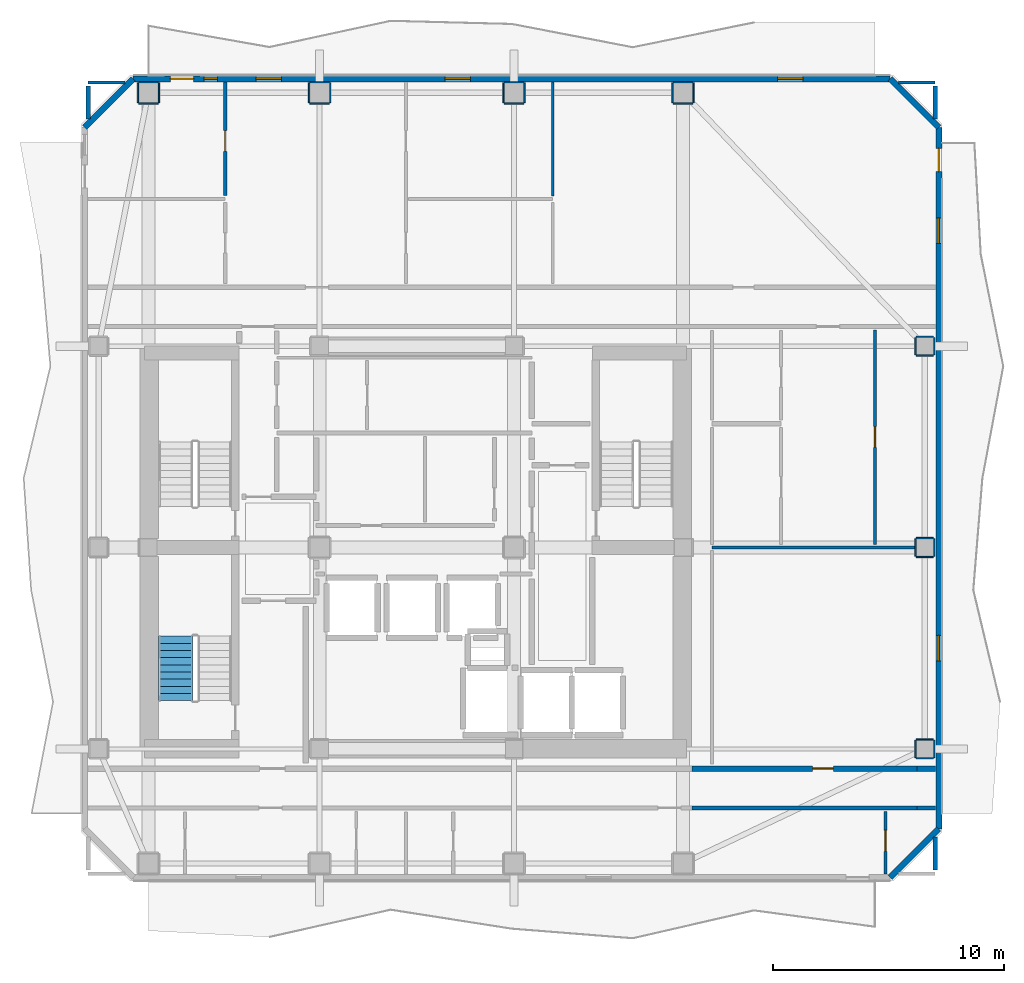
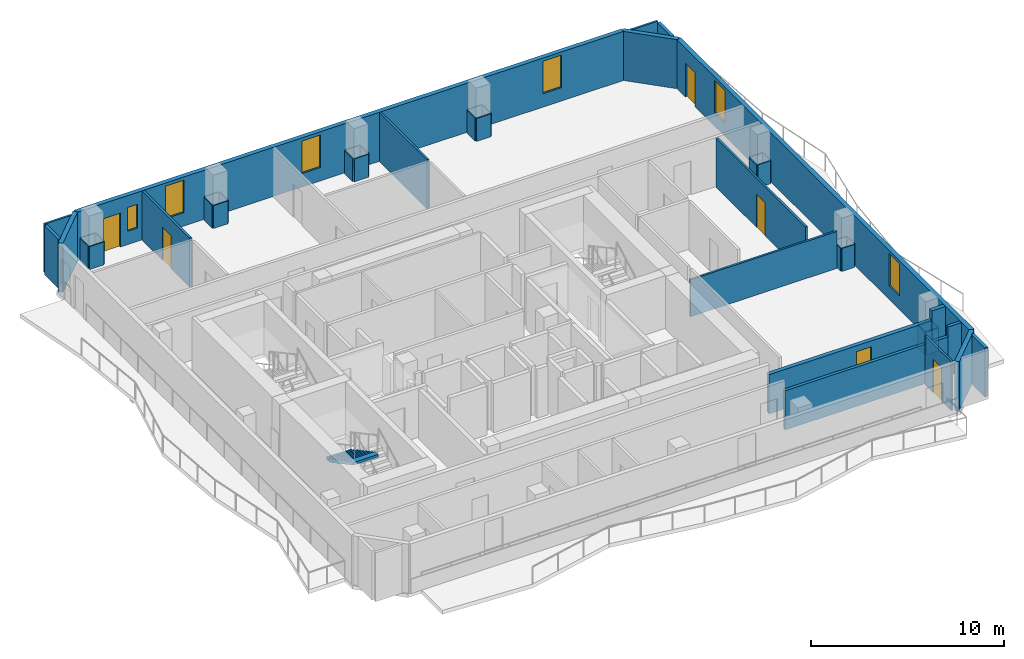
# One storey, part 5 of 9: 47 walls, 6 doors, 6 windows, 1 stair flight, 12 openings, 1 element without a shape of its own.
"""IFC4 building model written with IfcOpenShell, lengths in metres."""

import ifcopenshell
import ifcopenshell.guid

model = None  # the IFC model being written
_history = None  # IfcOwnerHistory: only IFC2X3 demands one
_inside = {}  # id of a spatial element -> (the spatial element, [elements in it])
_under = {}  # id of a project, library or spatial element -> (it, [spatial elements below it])
_declared = {}  # id of a project -> (the project, [libraries it declares])
_typed = {}  # id of a type object -> (the type object, [elements of that type])
_made_of = {}  # id of a material, layer set ... -> (it, [elements and type objects made of it])


def new_model(schema):
    """Start an empty IFC model of exactly this schema.

    Asked for "IFC4X3", IfcOpenShell would pick the latest addendum, in which some entities
    have other attributes; the version numbers below select the first issue.
    IFC2X3 requires an IfcOwnerHistory on every rooted entity: one is made here for all.
    """
    global model, _history
    if schema == "IFC4X3":
        model = ifcopenshell.file(schema_version=(4, 3, 0, 0))
    else:
        model = ifcopenshell.file(schema=schema)
    _inside.clear()
    _under.clear()
    _declared.clear()
    _typed.clear()
    _made_of.clear()
    _history = None
    if model.schema == "IFC2X3":
        org = make("IfcOrganization", Name="unknown")
        user = make(
            "IfcPersonAndOrganization",
            ThePerson=make("IfcPerson", FamilyName="unknown"),
            TheOrganization=org,
        )
        app = make(
            "IfcApplication",
            ApplicationDeveloper=org,
            Version="unknown",
            ApplicationFullName="unknown",
            ApplicationIdentifier="unknown",
        )
        _history = make(
            "IfcOwnerHistory",
            OwningUser=user,
            OwningApplication=app,
            ChangeAction="ADDED",
            CreationDate=0,
        )
    return model


def make(cls, **values):
    """One entity of the class cls with the attributes given. An attribute that is None is left unset."""
    return model.create_entity(
        cls, **{name: value for name, value in values.items() if value is not None}
    )


def rooted(cls, **values):
    """An entity with a GlobalId (a new one), such as an element, a storey or a relation."""
    return make(cls, GlobalId=ifcopenshell.guid.new(), OwnerHistory=_history, **values)


def si_unit(unit_type, name, prefix=None):
    """IfcSIUnit, for example si_unit("LENGTHUNIT", "METRE", prefix="MILLI")."""
    return make("IfcSIUnit", UnitType=unit_type, Prefix=prefix, Name=name)


def assignment(units):
    """IfcUnitAssignment: the units of a project."""
    return None if units is None else make("IfcUnitAssignment", Units=units)


def point(xyz):
    """IfcCartesianPoint."""
    return None if xyz is None else make("IfcCartesianPoint", Coordinates=xyz)


def direction(xyz):
    """IfcDirection."""
    return None if xyz is None else make("IfcDirection", DirectionRatios=xyz)


def frame(location, z_axis=None, x_axis=None):
    """IfcAxis2Placement3D, a coordinate frame: its origin and axes. An axis left out is left unset."""
    return make(
        "IfcAxis2Placement3D",
        Location=point(location),
        Axis=direction(z_axis),
        RefDirection=direction(x_axis),
    )


def frame_2d(location, x_axis=None):
    """IfcAxis2Placement2D, a coordinate frame in the plane: its origin and x axis."""
    return make(
        "IfcAxis2Placement2D", Location=point(location), RefDirection=direction(x_axis)
    )


def origin():
    """The frame at (0, 0, 0) with its axes left unset."""
    return frame((0.0, 0.0, 0.0))


def place(relative_to, where):
    """IfcLocalPlacement: puts the frame where relative to a parent placement (None: the world)."""
    return make(
        "IfcLocalPlacement", PlacementRelTo=relative_to, RelativePlacement=where
    )


def context(
    kind, dimensions, precision=None, world=None, true_north=None, identifier=None
):
    """IfcGeometricRepresentationContext, for example the 3D "Model" context."""
    return make(
        "IfcGeometricRepresentationContext",
        ContextIdentifier=identifier,
        ContextType=kind,
        CoordinateSpaceDimension=dimensions,
        Precision=precision,
        WorldCoordinateSystem=world,
        TrueNorth=true_north,
    )


def subcontext(parent, identifier, kind, view, scale=None):
    """IfcGeometricRepresentationSubContext, for example "Body" below "Model"."""
    return make(
        "IfcGeometricRepresentationSubContext",
        ContextIdentifier=identifier,
        ContextType=kind,
        ParentContext=parent,
        TargetScale=scale,
        TargetView=view,
    )


def project(units=None, contexts=None):
    """IfcProject with its units and contexts."""
    return rooted(
        "IfcProject",
        Name="project",
        RepresentationContexts=contexts,
        UnitsInContext=assignment(units),
    )


def spatial(cls, under=None, at=None, **own):
    """A site, building, storey or space (cls), placed at a placement, below another one or the project."""
    s = rooted(cls, ObjectPlacement=at, **own)
    if under is not None:
        _under.setdefault(under.id(), (under, []))[1].append(s)
    return s


def polyline(points):
    """IfcPolyline through the points."""
    return make("IfcPolyline", Points=[point(p) for p in points])


def profile(cls, at=None, kind="AREA", **sizes):
    """A parametric profile (cls). Its sizes go by their IFC names, for example OverallWidth=200.0."""
    return make(cls, ProfileType=kind, Position=at, **sizes)


def rectangle(**sizes):
    """IfcRectangleProfileDef."""
    return profile("IfcRectangleProfileDef", **sizes)


def outline(outer, holes=None, kind="AREA"):
    """IfcArbitraryClosedProfileDef: a profile drawn as a closed curve; with holes, ...WithVoids."""
    if holes is None:
        return make("IfcArbitraryClosedProfileDef", ProfileType=kind, OuterCurve=outer)
    return make(
        "IfcArbitraryProfileDefWithVoids",
        ProfileType=kind,
        OuterCurve=outer,
        InnerCurves=holes,
    )


def extrude(swept, where, along, depth):
    """IfcExtrudedAreaSolid: the profile swept, set in the frame where, extruded along a direction by depth."""
    return make(
        "IfcExtrudedAreaSolid",
        SweptArea=swept,
        Position=where,
        ExtrudedDirection=direction(along),
        Depth=depth,
    )


def shape(context_of_items, identifier, shape_type, items):
    """IfcShapeRepresentation: the items that make up one representation, for example the "Body"."""
    return make(
        "IfcShapeRepresentation",
        ContextOfItems=context_of_items,
        RepresentationIdentifier=identifier,
        RepresentationType=shape_type,
        Items=items,
    )


def material(Name=None, Category=None):
    """IfcMaterial."""
    return make("IfcMaterial", Name=Name, Category=Category)


def layer(
    of_material, thickness, ventilated=None, Name=None, Category=None, Priority=None
):
    """IfcMaterialLayer: one layer of a wall or slab, of a material (None: an air gap)."""
    return make(
        "IfcMaterialLayer",
        Material=of_material,
        LayerThickness=thickness,
        IsVentilated=ventilated,
        Name=Name,
        Category=Category,
        Priority=Priority,
    )


def layer_set(layers, Name=None):
    """IfcMaterialLayerSet."""
    return make("IfcMaterialLayerSet", MaterialLayers=layers, LayerSetName=Name)


def made_of(thing, what):
    """Note that an element or type object is made of a material, layer set ...; save() writes the relation."""
    if what is not None:
        _made_of.setdefault(what.id(), (what, []))[1].append(thing)
    return thing


def type_object(cls, material=None, **own):
    """A type object (cls), such as IfcWallType, which elements share."""
    return made_of(rooted(cls, **own), material)


def element(
    cls,
    number,
    at=None,
    inside=None,
    cuts=None,
    type_object=None,
    material=None,
    context=None,
    identifier="Body",
    shape_type=None,
    held_by="IfcProductDefinitionShape",
    body=None,
    shapes=None,
    **own,
):
    """One element of the class cls, such as IfcWall. Its Tag is "e" and its number.

    at: its placement. inside: the storey or other place that contains it. cuts: it is an
    opening in that element (IfcRelVoidsElement). A single representation is given by context,
    identifier, shape_type and body (its items); several are given by shapes. held_by: the class
    of the entity that holds the representations. save() writes the other relations.
    """
    e = rooted(cls, Tag="e%d" % number, ObjectPlacement=at, **own)
    if body is not None:
        shapes = [shape(context, identifier, shape_type, body)]
    if shapes is not None:
        e.Representation = make(held_by, Representations=shapes)
    if inside is not None:
        _inside.setdefault(inside.id(), (inside, []))[1].append(e)
    if cuts is not None:
        rooted(
            "IfcRelVoidsElement", RelatingBuildingElement=cuts, RelatedOpeningElement=e
        )
    if type_object is not None:
        _typed.setdefault(type_object.id(), (type_object, []))[1].append(e)
    return made_of(e, material)


def fill(opening, filler):
    """IfcRelFillsElement: the door or window that sits in an opening."""
    return rooted(
        "IfcRelFillsElement",
        RelatingOpeningElement=opening,
        RelatedBuildingElement=filler,
    )


def aggregate(whole, parts):
    """IfcRelAggregates: a whole, such as a stair, and the parts it consists of."""
    return rooted("IfcRelAggregates", RelatingObject=whole, RelatedObjects=parts)


def save(model, path):
    """Write the relations noted so far, then the file.

    IfcRelAggregates (storeys below a building ...), IfcRelContainedInSpatialStructure (elements
    in a storey), IfcRelDefinesByType, IfcRelAssociatesMaterial and IfcRelDeclares: one each for
    every whole, place, type object, material and project.
    """
    for whole, parts in _under.values():
        aggregate(whole, parts)
    for where, things in _inside.values():
        rooted(
            "IfcRelContainedInSpatialStructure",
            RelatedElements=things,
            RelatingStructure=where,
        )
    for kind, things in _typed.values():
        rooted("IfcRelDefinesByType", RelatedObjects=things, RelatingType=kind)
    for what, things in _made_of.values():
        rooted("IfcRelAssociatesMaterial", RelatedObjects=things, RelatingMaterial=what)
    for by, libraries in _declared.values():
        rooted("IfcRelDeclares", RelatingContext=by, RelatedDefinitions=libraries)
    model.write(path)


model = new_model("IFC4")

# Units and contexts
model_context = context("Model", 3, precision=1e-05, world=origin(), true_north=direction((0.0, 1.0)))
body_context = subcontext(model_context, "Body", "Model", "MODEL_VIEW")
ifc_project = project(units=[si_unit("LENGTHUNIT", "METRE"), si_unit("AREAUNIT", "SQUARE_METRE"), si_unit("VOLUMEUNIT", "CUBIC_METRE"), si_unit("PLANEANGLEUNIT", "RADIAN"), si_unit("MASSUNIT", "GRAM", prefix="KILO")], contexts=[model_context])

# Site, building, storey
site_placement = place(None, origin())
site = spatial("IfcSite", under=ifc_project, at=site_placement, CompositionType="ELEMENT")
building_placement = place(site_placement, origin())
building = spatial("IfcBuilding", under=site, at=building_placement, Name="Solanera Arch Residences", CompositionType="ELEMENT")
storey_placement = place(building_placement, frame((0.0, 0.0, 237.919921875)))
storey = spatial("IfcBuildingStorey", under=building, at=storey_placement, Name="L69", CompositionType="ELEMENT", Elevation=237.919921875)

# Walls
ifc_material_1 = material(Name="Fire-Rated Gypsum Stud Partition", Category="gypsum")
ifc_layer_1 = layer(ifc_material_1, 0.06005859375)
ifc_layer_set_1 = layer_set([ifc_layer_1], Name="Fire-Rated Gypsum Stud Partition")
wall_type_1 = type_object("IfcWallType", Name="Column Acoustic Furring Wall 60", PredefinedType="PARTITIONING", material=ifc_layer_set_1)
for number, where, z_axis, x_axis, name in (
    (1, (12.97509765625, 49.89306640625, 0.0), (0.0, 0.0, 1.0), (1.0, 0.0, 0.0), "L69 Column Furring 10S"),
    (2, (12.97509765625, 50.806884765625, 0.0), (0.0, 0.0, 1.0), (1.0, 0.0, 0.0), "L69 Column Furring 10N"),
    (3, (12.943115234375, 49.925048828125, 0.0), (0.0, 0.0, 1.0), (0.0, 1.0, 0.0), "L69 Column Furring 10W"),
    (4, (13.85693359375, 49.925048828125, 0.0), (0.0, 0.0, 1.0), (0.0, 1.0, 0.0), "L69 Column Furring 10E"),
):
    element("IfcWall", number, at=place(storey_placement, frame(where, z_axis=z_axis, x_axis=x_axis)), inside=storey, type_object=wall_type_1, Name=name, PredefinedType="PARTITIONING", context=body_context, shape_type="SweptSolid", body=[
        extrude(rectangle(XDim=0.849853515625, YDim=0.06005859375, at=frame_2d((0.4248046875, 0.0))), origin(), (0.0, 0.0, 1.0), 1.4501953125),
    ])
for number, where, z_axis, x_axis, name in (
    (5, (20.375, 49.89306640625, 0.0), (0.0, 0.0, 1.0), (1.0, 0.0, 0.0), "L69 Column Furring 12S"),
    (6, (20.375, 50.806884765625, 0.0), (0.0, 0.0, 1.0), (1.0, 0.0, 0.0), "L69 Column Furring 12N"),
):
    element("IfcWall", number, at=place(storey_placement, frame(where, z_axis=z_axis, x_axis=x_axis)), inside=storey, type_object=wall_type_1, Name=name, PredefinedType="PARTITIONING", context=body_context, shape_type="SweptSolid", body=[
        extrude(rectangle(XDim=0.85009765625, YDim=0.06005859375, at=frame_2d((0.425048828125, 0.0))), origin(), (0.0, 0.0, 1.0), 1.4501953125),
    ])
for number, where, z_axis, x_axis, name in (
    (7, (20.343017578125, 49.925048828125, 0.0), (0.0, 0.0, 1.0), (0.0, 1.0, 0.0), "L69 Column Furring 12W"),
    (8, (21.257080078125, 49.925048828125, 0.0), (0.0, 0.0, 1.0), (0.0, 1.0, 0.0), "L69 Column Furring 12E"),
):
    element("IfcWall", number, at=place(storey_placement, frame(where, z_axis=z_axis, x_axis=x_axis)), inside=storey, type_object=wall_type_1, Name=name, PredefinedType="PARTITIONING", context=body_context, shape_type="SweptSolid", body=[
        extrude(rectangle(XDim=0.849853515625, YDim=0.06005859375, at=frame_2d((0.4248046875, 0.0))), origin(), (0.0, 0.0, 1.0), 1.4501953125),
    ])
for number, where, z_axis, x_axis, name in (
    (9, (28.77490234375, 49.89306640625, 0.0), (0.0, 0.0, 1.0), (1.0, 0.0, 0.0), "L69 Column Furring 14S"),
    (10, (28.77490234375, 50.806884765625, 0.0), (0.0, 0.0, 1.0), (1.0, 0.0, 0.0), "L69 Column Furring 14N"),
):
    element("IfcWall", number, at=place(storey_placement, frame(where, z_axis=z_axis, x_axis=x_axis)), inside=storey, type_object=wall_type_1, Name=name, PredefinedType="PARTITIONING", context=body_context, shape_type="SweptSolid", body=[
        extrude(rectangle(XDim=0.85009765625, YDim=0.06005859375, at=frame_2d((0.425048828125, 0.0))), origin(), (0.0, 0.0, 1.0), 1.4501953125),
    ])
for number, where, z_axis, x_axis, name in (
    (11, (28.742919921875, 49.925048828125, 0.0), (0.0, 0.0, 1.0), (0.0, 1.0, 0.0), "L69 Column Furring 14W"),
    (12, (29.656982421875, 49.925048828125, 0.0), (0.0, 0.0, 1.0), (0.0, 1.0, 0.0), "L69 Column Furring 14E"),
):
    element("IfcWall", number, at=place(storey_placement, frame(where, z_axis=z_axis, x_axis=x_axis)), inside=storey, type_object=wall_type_1, Name=name, PredefinedType="PARTITIONING", context=body_context, shape_type="SweptSolid", body=[
        extrude(rectangle(XDim=0.849853515625, YDim=0.06005859375, at=frame_2d((0.4248046875, 0.0))), origin(), (0.0, 0.0, 1.0), 1.4501953125),
    ])
for number, where, z_axis, x_axis, name in (
    (13, (36.074951171875, 49.89306640625, 0.0), (0.0, 0.0, 1.0), (1.0, 0.0, 0.0), "L69 Column Furring 16S"),
    (14, (36.074951171875, 50.806884765625, 0.0), (0.0, 0.0, 1.0), (1.0, 0.0, 0.0), "L69 Column Furring 16N"),
):
    element("IfcWall", number, at=place(storey_placement, frame(where, z_axis=z_axis, x_axis=x_axis)), inside=storey, type_object=wall_type_1, Name=name, PredefinedType="PARTITIONING", context=body_context, shape_type="SweptSolid", body=[
        extrude(rectangle(XDim=0.85009765625, YDim=0.06005859375, at=frame_2d((0.425048828125, 0.0))), origin(), (0.0, 0.0, 1.0), 1.4501953125),
    ])
for number, where, z_axis, x_axis, name in (
    (15, (36.04296875, 49.925048828125, 0.0), (0.0, 0.0, 1.0), (0.0, 1.0, 0.0), "L69 Column Furring 16W"),
    (16, (36.95703125, 49.925048828125, 0.0), (0.0, 0.0, 1.0), (0.0, 1.0, 0.0), "L69 Column Furring 16E"),
):
    element("IfcWall", number, at=place(storey_placement, frame(where, z_axis=z_axis, x_axis=x_axis)), inside=storey, type_object=wall_type_1, Name=name, PredefinedType="PARTITIONING", context=body_context, shape_type="SweptSolid", body=[
        extrude(rectangle(XDim=0.849853515625, YDim=0.06005859375, at=frame_2d((0.4248046875, 0.0))), origin(), (0.0, 0.0, 1.0), 1.4501953125),
    ])
for number, where, z_axis, x_axis, name in (
    (17, (46.574951171875, 21.593017578125, 0.0), (0.0, 0.0, 1.0), (1.0, 0.0, 0.0), "L69 Column Furring 18S"),
    (18, (46.574951171875, 22.406982421875, 0.0), (0.0, 0.0, 1.0), (1.0, 0.0, 0.0), "L69 Column Furring 18N"),
    (19, (46.54296875, 21.625, 0.0), (0.0, 0.0, 1.0), (0.0, 1.0, 0.0), "L69 Column Furring 18W"),
    (20, (47.35693359375, 21.625, 0.0), (0.0, 0.0, 1.0), (0.0, 1.0, 0.0), "L69 Column Furring 18E"),
    (21, (46.574951171875, 30.29296875, 0.0), (0.0, 0.0, 1.0), (1.0, 0.0, 0.0), "L69 Column Furring 20S"),
    (22, (46.574951171875, 31.10693359375, 0.0), (0.0, 0.0, 1.0), (1.0, 0.0, 0.0), "L69 Column Furring 20N"),
    (23, (46.54296875, 30.324951171875, 0.0), (0.0, 0.0, 1.0), (0.0, 1.0, 0.0), "L69 Column Furring 20W"),
    (24, (47.35693359375, 30.324951171875, 0.0), (0.0, 0.0, 1.0), (0.0, 1.0, 0.0), "L69 Column Furring 20E"),
    (25, (46.574951171875, 38.992919921875, 0.0), (0.0, 0.0, 1.0), (1.0, 0.0, 0.0), "L69 Column Furring 22S"),
    (26, (46.574951171875, 39.806884765625, 0.0), (0.0, 0.0, 1.0), (1.0, 0.0, 0.0), "L69 Column Furring 22N"),
    (27, (46.54296875, 39.02490234375, 0.0), (0.0, 0.0, 1.0), (0.0, 1.0, 0.0), "L69 Column Furring 22W"),
    (28, (47.35693359375, 39.02490234375, 0.0), (0.0, 0.0, 1.0), (0.0, 1.0, 0.0), "L69 Column Furring 22E"),
):
    element("IfcWall", number, at=place(storey_placement, frame(where, z_axis=z_axis, x_axis=x_axis)), inside=storey, type_object=wall_type_1, Name=name, PredefinedType="PARTITIONING", context=body_context, shape_type="SweptSolid", body=[
        extrude(rectangle(XDim=0.75, YDim=0.06005859375, at=frame_2d((0.375, 0.0))), origin(), (0.0, 0.0, 1.0), 1.4501953125),
    ])
ifc_material_2 = material(Name="Autoclaved Aerated Concrete Blockwork", Category="masonry")
ifc_layer_2 = layer(ifc_material_2, 0.179931640625)
ifc_layer_set_2 = layer_set([ifc_layer_2], Name="Autoclaved Aerated Concrete Blockwork")
wall_type_2 = type_object("IfcWallType", Name="Corridor Fire Partition 180", PredefinedType="PARTITIONING", material=ifc_layer_set_2)
wall_1_placement = place(storey_placement, frame((36.888916015625, 19.449951171875, 0.0), z_axis=(0.0, 0.0, 1.0), x_axis=(1.0, 0.0, 0.0)))
element("IfcWall", 29, at=wall_1_placement, inside=storey, type_object=wall_type_2, Name="L69 Interior Partition H6 2", PredefinedType="PARTITIONING", context=body_context, shape_type="SweptSolid", body=[
    extrude(rectangle(XDim=9.72216796875, YDim=0.179931640625, at=frame_2d((4.861083984375, 0.0))), origin(), (0.0, 0.0, 1.0), 2.47705078125),
])
wall_2_placement = place(storey_placement, frame((46.611083984375, 19.449951171875, 0.0), z_axis=(0.0, 0.0, 1.0), x_axis=(1.0, 0.0, 0.0)))
element("IfcWall", 30, at=wall_2_placement, inside=storey, type_object=wall_type_2, Name="L69 Interior Partition H6 3", PredefinedType="PARTITIONING", context=body_context, shape_type="SweptSolid", body=[
    extrude(rectangle(XDim=0.802001953125, YDim=0.179931640625, at=frame_2d((0.40087890625, 0.0))), origin(), (0.0, 0.0, 1.0), 3.10009765625),
])
wall_3_placement = place(storey_placement, frame((10.800048828125, 49.2109375, 0.0), z_axis=(0.0, 0.0, 1.0), x_axis=(0.0, 1.0, 0.0)))
element("IfcWall", 31, at=wall_3_placement, inside=storey, type_object=wall_type_2, Name="L69 Interior Partition V7", PredefinedType="PARTITIONING", context=body_context, shape_type="SweptSolid", body=[
    extrude(rectangle(XDim=1.43115234375, YDim=0.179931640625, at=frame_2d((0.715576171875, 0.0))), origin(), (0.0, 0.0, 1.0), 3.10009765625),
])
wall_4_placement = place(storey_placement, frame((47.39990234375, 16.76806640625, 0.0), z_axis=(0.0, 0.0, 1.0), x_axis=(0.0, 1.0, 0.0)))
element("IfcWall", 32, at=wall_4_placement, inside=storey, type_object=wall_type_2, Name="L69 Interior Partition V10 1", PredefinedType="PARTITIONING", context=body_context, shape_type="SweptSolid", body=[
    extrude(rectangle(XDim=1.4208984375, YDim=0.179931640625, at=frame_2d((0.71044921875, 0.0))), origin(), (0.0, 0.0, 1.0), 3.10009765625),
])
wall_5_placement = place(storey_placement, frame((47.39990234375, 49.2109375, 0.0), z_axis=(0.0, 0.0, 1.0), x_axis=(0.0, 1.0, 0.0)))
element("IfcWall", 33, at=wall_5_placement, inside=storey, type_object=wall_type_2, Name="L69 Interior Partition V10 2", PredefinedType="PARTITIONING", context=body_context, shape_type="SweptSolid", body=[
    extrude(rectangle(XDim=1.43115234375, YDim=0.179931640625, at=frame_2d((0.715576171875, 0.0))), origin(), (0.0, 0.0, 1.0), 3.10009765625),
])
ifc_material_3 = material(Name="Precast Concrete C35/45", Category="concrete")
ifc_layer_3 = layer(ifc_material_3, 0.260009765625)
ifc_layer_set_3 = layer_set([ifc_layer_3], Name="Precast Concrete C35/45")
wall_type_3 = type_object("IfcWallType", Name="Exterior Wall Precast Masonry-Frame 260", PredefinedType="STANDARD", material=ifc_layer_set_3)
wall_6_placement = place(storey_placement, frame((10.64501953125, 48.85498046875, 0.0), z_axis=(0.0, 0.0, 1.0), x_axis=(0.707106781187, 0.707106781187, 0.0)))
element("IfcWall", 34, at=wall_6_placement, inside=storey, type_object=wall_type_3, Name="L69 Tower Exterior Precast Masonry-Frame Wall CH1", PredefinedType="STANDARD", context=body_context, shape_type="SweptSolid", body=[
    extrude(rectangle(XDim=2.969970703125, YDim=0.260009765625, at=frame_2d((1.48486328125, 0.0))), origin(), (0.0, 0.0, 1.0), 3.10009765625),
])

# Wall, openings, door, windows
wall_7_placement = place(storey_placement, frame((12.7451171875, 50.955078125, 0.0), z_axis=(0.0, 0.0, 1.0), x_axis=(1.0, 0.0, 0.0)))
wall_7 = element("IfcWall", 35, at=wall_7_placement, inside=storey, type_object=wall_type_3, Name="L69 Tower Exterior Precast Masonry-Frame Wall N", PredefinedType="STANDARD", context=body_context, shape_type="SweptSolid", body=[
    extrude(rectangle(XDim=32.7099609375, YDim=0.260009765625, at=frame_2d((16.35498046875, 0.0))), origin(), (0.0, 0.0, 1.0), 3.10009765625),
])
opening_1_placement = place(wall_7_placement, frame((1.610107421875, 0.0, 0.0)))
opening_1 = element("IfcOpeningElement", 36, at=opening_1_placement, cuts=wall_7, Name="Opening DB-01", PredefinedType="OPENING", context=body_context, shape_type="SweptSolid", body=[
    extrude(rectangle(XDim=1.0, YDim=2.14990234375, at=frame_2d((0.5, 1.074951171875))), frame((0.0, 0.139892578125, 0.0), z_axis=(0.0, -1.0, 0.0), x_axis=(1.0, 0.0, 0.0)), (0.0, 0.0, 1.0), 0.28),
])
opening_2_placement = place(wall_7_placement, frame((5.301025390625, 0.0, 0.85009765625)))
opening_2 = element("IfcOpeningElement", 37, at=opening_2_placement, cuts=wall_7, Name="Opening W-11", PredefinedType="OPENING", context=body_context, shape_type="SweptSolid", body=[
    extrude(rectangle(XDim=1.10009765625, YDim=2.050048828125, at=frame_2d((0.550048828125, 1.02490234375))), frame((0.0, 0.139892578125, 0.0), z_axis=(0.0, -1.0, 0.0), x_axis=(1.0, 0.0, 0.0)), (0.0, 0.0, 1.0), 0.28),
])
opening_3_placement = place(wall_7_placement, frame((3.052001953125, 0.0, 0.85009765625)))
opening_3 = element("IfcOpeningElement", 38, at=opening_3_placement, cuts=wall_7, Name="Opening W-14", PredefinedType="OPENING", context=body_context, shape_type="SweptSolid", body=[
    extrude(rectangle(XDim=0.580078125, YDim=1.5, at=frame_2d((0.2900390625, 0.75))), frame((0.0, 0.139892578125, 0.0), z_axis=(0.0, -1.0, 0.0), x_axis=(1.0, 0.0, 0.0)), (0.0, 0.0, 1.0), 0.28),
])
opening_4_placement = place(wall_7_placement, frame((13.466064453125, 0.0, 0.85009765625)))
opening_4 = element("IfcOpeningElement", 39, at=opening_4_placement, cuts=wall_7, Name="Opening W-11", PredefinedType="OPENING", context=body_context, shape_type="SweptSolid", body=[
    extrude(rectangle(XDim=1.10009765625, YDim=2.050048828125, at=frame_2d((0.550048828125, 1.02490234375))), frame((0.0, 0.139892578125, 0.0), z_axis=(0.0, -1.0, 0.0), x_axis=(1.0, 0.0, 0.0)), (0.0, 0.0, 1.0), 0.28),
])
opening_5_placement = place(wall_7_placement, frame((27.85009765625, 0.0, 0.85009765625)))
opening_5 = element("IfcOpeningElement", 40, at=opening_5_placement, cuts=wall_7, Name="Opening W-11", PredefinedType="OPENING", context=body_context, shape_type="SweptSolid", body=[
    extrude(rectangle(XDim=1.10009765625, YDim=2.050048828125, at=frame_2d((0.550048828125, 1.02490234375))), frame((0.0, 0.139892578125, 0.0), z_axis=(0.0, -1.0, 0.0), x_axis=(1.0, 0.0, 0.0)), (0.0, 0.0, 1.0), 0.28),
])
ifc_material_4 = material(Name="Anodised Aluminium Alloy 6063-T6", Category="aluminium")
door_type_1 = type_object("IfcDoorType", Name="Glazed Balcony Swing Door DB-01", OperationType="NOTDEFINED", PredefinedType="DOOR", material=ifc_material_4)
door_1_placement = place(opening_1_placement, origin())
door_1 = element("IfcDoor", 41, at=door_1_placement, inside=storey, type_object=door_type_1, Name="DR-L69-OUT-02", OperationType="SINGLE_SWING_RIGHT", OverallHeight=2.14990234375, OverallWidth=1.0, PredefinedType="DOOR", context=body_context, shape_type="SweptSolid", body=[
    extrude(rectangle(XDim=1.0, YDim=2.14990234375, at=frame_2d((0.5, 1.074951171875))), frame((0.0, 0.02490234375, 0.0), z_axis=(0.0, -1.0, 0.0), x_axis=(1.0, 0.0, 0.0)), (0.0, 0.0, 1.0), 0.050048828125),
])
fill(opening_1, door_1)
ifc_material_5 = material(Name="Double Glazed Low-E Laminated Glass", Category="glass")
window_type_1 = type_object("IfcWindowType", Name="Punched Window W-11", PartitioningType="SINGLE_PANEL", PredefinedType="WINDOW", material=ifc_material_5)
window_1_placement = place(opening_2_placement, origin())
window_1 = element("IfcWindow", 42, at=window_1_placement, inside=storey, type_object=window_type_1, Name="L69 6903-LIV Punched Window", OverallHeight=2.050048828125, OverallWidth=1.10009765625, PartitioningType="SINGLE_PANEL", PredefinedType="WINDOW", context=body_context, shape_type="SweptSolid", body=[
    extrude(rectangle(XDim=1.10009765625, YDim=2.050048828125, at=frame_2d((0.550048828125, 1.02490234375))), frame((0.0, 0.030029296875, 0.0), z_axis=(0.0, -1.0, 0.0), x_axis=(1.0, 0.0, 0.0)), (0.0, 0.0, 1.0), 0.06005859375),
])
fill(opening_2, window_1)
window_2_placement = place(opening_4_placement, origin())
window_2 = element("IfcWindow", 43, at=window_2_placement, inside=storey, type_object=window_type_1, Name="L69 6903-BR2 Punched Window", OverallHeight=2.050048828125, OverallWidth=1.10009765625, PartitioningType="SINGLE_PANEL", PredefinedType="WINDOW", context=body_context, shape_type="SweptSolid", body=[
    extrude(rectangle(XDim=1.10009765625, YDim=2.050048828125, at=frame_2d((0.550048828125, 1.02490234375))), frame((0.0, 0.030029296875, 0.0), z_axis=(0.0, -1.0, 0.0), x_axis=(1.0, 0.0, 0.0)), (0.0, 0.0, 1.0), 0.06005859375),
])
fill(opening_4, window_2)
window_3_placement = place(opening_5_placement, origin())
window_3 = element("IfcWindow", 44, at=window_3_placement, inside=storey, type_object=window_type_1, Name="L69 AMN-LIB Punched Window", OverallHeight=2.050048828125, OverallWidth=1.10009765625, PartitioningType="SINGLE_PANEL", PredefinedType="WINDOW", context=body_context, shape_type="SweptSolid", body=[
    extrude(rectangle(XDim=1.10009765625, YDim=2.050048828125, at=frame_2d((0.550048828125, 1.02490234375))), frame((0.0, 0.030029296875, 0.0), z_axis=(0.0, -1.0, 0.0), x_axis=(1.0, 0.0, 0.0)), (0.0, 0.0, 1.0), 0.06005859375),
])
fill(opening_5, window_3)
ifc_material_6 = material(Name="Double Glazed Low-E Laminated Glass", Category="glass")
window_type_2 = type_object("IfcWindowType", Name="Punched Window W-14", PartitioningType="SINGLE_PANEL", PredefinedType="WINDOW", material=ifc_material_6)
window_4_placement = place(opening_3_placement, origin())
window_4 = element("IfcWindow", 45, at=window_4_placement, inside=storey, type_object=window_type_2, Name="L69 6903-BR1 Punched Window", OverallHeight=1.5, OverallWidth=0.580078125, PartitioningType="SINGLE_PANEL", PredefinedType="WINDOW", context=body_context, shape_type="SweptSolid", body=[
    extrude(rectangle(XDim=0.580078125, YDim=1.5, at=frame_2d((0.2900390625, 0.75))), frame((0.0, 0.030029296875, 0.0), z_axis=(0.0, -1.0, 0.0), x_axis=(1.0, 0.0, 0.0)), (0.0, 0.0, 1.0), 0.06005859375),
])
fill(opening_3, window_4)

# Wall
wall_8_placement = place(storey_placement, frame((45.455078125, 50.955078125, 0.0), z_axis=(0.0, 0.0, 1.0), x_axis=(0.707065676302, -0.707147883682, 0.0)))
element("IfcWall", 46, at=wall_8_placement, inside=storey, type_object=wall_type_3, Name="L69 Tower Exterior Precast Masonry-Frame Wall CH3", PredefinedType="STANDARD", context=body_context, shape_type="SweptSolid", body=[
    extrude(rectangle(XDim=2.9697265625, YDim=0.260009765625, at=frame_2d((1.48486328125, 0.0))), origin(), (0.0, 0.0, 1.0), 3.10009765625),
])

# Wall, openings, door, windows
wall_9_placement = place(storey_placement, frame((47.554931640625, 48.85498046875, 0.0), z_axis=(0.0, 0.0, 1.0), x_axis=(0.0, -1.0, 0.0)))
wall_9 = element("IfcWall", 47, at=wall_9_placement, inside=storey, type_object=wall_type_3, Name="L69 Tower Exterior Precast Masonry-Frame Wall E", PredefinedType="STANDARD", context=body_context, shape_type="SweptSolid", body=[
    extrude(rectangle(XDim=30.31005859375, YDim=0.260009765625, at=frame_2d((15.155029296875, 0.0))), origin(), (0.0, 0.0, 1.0), 3.10009765625),
])
opening_6_placement = place(wall_9_placement, frame((0.909912109375, 0.0, 0.0)))
opening_6 = element("IfcOpeningElement", 48, at=opening_6_placement, cuts=wall_9, Name="Opening DB-01", PredefinedType="OPENING", context=body_context, shape_type="SweptSolid", body=[
    extrude(rectangle(XDim=1.0, YDim=2.14990234375, at=frame_2d((0.5, 1.074951171875))), frame((0.0, 0.139892578125, 0.0), z_axis=(0.0, -1.0, 0.0), x_axis=(1.0, 0.0, 0.0)), (0.0, 0.0, 1.0), 0.28),
])
opening_7_placement = place(wall_9_placement, frame((3.906982421875, 0.0, 0.85009765625)))
opening_7 = element("IfcOpeningElement", 49, at=opening_7_placement, cuts=wall_9, Name="Opening W-11", PredefinedType="OPENING", context=body_context, shape_type="SweptSolid", body=[
    extrude(rectangle(XDim=1.10009765625, YDim=2.050048828125, at=frame_2d((0.550048828125, 1.02490234375))), frame((0.0, 0.139892578125, 0.0), z_axis=(0.0, -1.0, 0.0), x_axis=(1.0, 0.0, 0.0)), (0.0, 0.0, 1.0), 0.28),
])
opening_8_placement = place(wall_9_placement, frame((21.955078125, 0.0, 0.85009765625)))
opening_8 = element("IfcOpeningElement", 50, at=opening_8_placement, cuts=wall_9, Name="Opening W-11", PredefinedType="OPENING", context=body_context, shape_type="SweptSolid", body=[
    extrude(rectangle(XDim=1.10009765625, YDim=2.050048828125, at=frame_2d((0.550048828125, 1.02490234375))), frame((0.0, 0.139892578125, 0.0), z_axis=(0.0, -1.0, 0.0), x_axis=(1.0, 0.0, 0.0)), (0.0, 0.0, 1.0), 0.28),
])
door_2_placement = place(opening_6_placement, origin())
door_2 = element("IfcDoor", 51, at=door_2_placement, inside=storey, type_object=door_type_1, Name="DR-L69-OUT-03", OperationType="SINGLE_SWING_LEFT", OverallHeight=2.14990234375, OverallWidth=1.0, PredefinedType="DOOR", context=body_context, shape_type="SweptSolid", body=[
    extrude(rectangle(XDim=1.0, YDim=2.14990234375, at=frame_2d((0.5, 1.074951171875))), frame((0.0, 0.02490234375, 0.0), z_axis=(0.0, -1.0, 0.0), x_axis=(1.0, 0.0, 0.0)), (0.0, 0.0, 1.0), 0.050048828125),
])
fill(opening_6, door_2)
window_5_placement = place(opening_7_placement, origin())
window_5 = element("IfcWindow", 52, at=window_5_placement, inside=storey, type_object=window_type_1, Name="L69 AMN-LIB Punched Window", OverallHeight=2.050048828125, OverallWidth=1.10009765625, PartitioningType="SINGLE_PANEL", PredefinedType="WINDOW", context=body_context, shape_type="SweptSolid", body=[
    extrude(rectangle(XDim=1.10009765625, YDim=2.050048828125, at=frame_2d((0.550048828125, 1.02490234375))), frame((0.0, 0.030029296875, 0.0), z_axis=(0.0, -1.0, 0.0), x_axis=(1.0, 0.0, 0.0)), (0.0, 0.0, 1.0), 0.06005859375),
])
fill(opening_7, window_5)
window_6_placement = place(opening_8_placement, origin())
window_6 = element("IfcWindow", 53, at=window_6_placement, inside=storey, type_object=window_type_1, Name="L69 AMN-STDE Punched Window", OverallHeight=2.050048828125, OverallWidth=1.10009765625, PartitioningType="SINGLE_PANEL", PredefinedType="WINDOW", context=body_context, shape_type="SweptSolid", body=[
    extrude(rectangle(XDim=1.10009765625, YDim=2.050048828125, at=frame_2d((0.550048828125, 1.02490234375))), frame((0.0, 0.030029296875, 0.0), z_axis=(0.0, -1.0, 0.0), x_axis=(1.0, 0.0, 0.0)), (0.0, 0.0, 1.0), 0.06005859375),
])
fill(opening_8, window_6)

# Wall
wall_10_placement = place(storey_placement, frame((47.554931640625, 18.544921875, 0.0), z_axis=(0.0, 0.0, 1.0), x_axis=(-0.707106781187, -0.707106781187, 0.0)))
element("IfcWall", 54, at=wall_10_placement, inside=storey, type_object=wall_type_3, Name="L69 Tower Exterior Precast Masonry-Frame Wall CH5", PredefinedType="STANDARD", context=body_context, shape_type="SweptSolid", body=[
    extrude(rectangle(XDim=2.9697265625, YDim=0.260009765625, at=frame_2d((1.48486328125, 0.0))), origin(), (0.0, 0.0, 1.0), 3.10009765625),
])

# Wall, opening, door
ifc_material_7 = material(Name="Autoclaved Aerated Concrete Blockwork", Category="masonry")
ifc_layer_4 = layer(ifc_material_7, 0.239990234375)
ifc_layer_set_4 = layer_set([ifc_layer_4], Name="Autoclaved Aerated Concrete Blockwork")
wall_type_4 = type_object("IfcWallType", Name="Shaft Wall Fire-Rated 240", PredefinedType="PARTITIONING", material=ifc_layer_set_4)
wall_11_placement = place(storey_placement, frame((36.888916015625, 21.14990234375, 0.0), z_axis=(0.0, 0.0, 1.0), x_axis=(1.0, 0.0, 0.0)))
wall_11 = element("IfcWall", 55, at=wall_11_placement, inside=storey, type_object=wall_type_4, Name="L69 Interior Partition H1 2", PredefinedType="PARTITIONING", context=body_context, shape_type="SweptSolid", body=[
    extrude(rectangle(XDim=9.72216796875, YDim=0.239990234375, at=frame_2d((4.861083984375, 0.0))), origin(), (0.0, 0.0, 1.0), 2.47705078125),
])
opening_9_placement = place(wall_11_placement, frame((5.2119140625, 0.0, 0.0)))
opening_9 = element("IfcOpeningElement", 56, at=opening_9_placement, cuts=wall_11, Name="Opening DI-02", PredefinedType="OPENING", context=body_context, shape_type="SweptSolid", body=[
    extrude(rectangle(XDim=0.89990234375, YDim=2.10009765625, at=frame_2d((0.449951171875, 1.050048828125))), frame((0.0, 0.1298828125, 0.0), z_axis=(0.0, -1.0, 0.0), x_axis=(1.0, 0.0, 0.0)), (0.0, 0.0, 1.0), 0.26),
])
ifc_material_8 = material(Name="Fire-Rated Architectural Hardwood", Category="wood")
door_type_2 = type_object("IfcDoorType", Name="Suite Room Swing Door DI-02", OperationType="NOTDEFINED", PredefinedType="DOOR", material=ifc_material_8)
door_3_placement = place(opening_9_placement, origin())
door_3 = element("IfcDoor", 57, at=door_3_placement, inside=storey, type_object=door_type_2, Name="DR-L69-IN-026", OperationType="SINGLE_SWING_RIGHT", OverallHeight=2.10009765625, OverallWidth=0.89990234375, PredefinedType="DOOR", context=body_context, shape_type="SweptSolid", body=[
    extrude(rectangle(XDim=0.89990234375, YDim=2.10009765625, at=frame_2d((0.449951171875, 1.050048828125))), frame((0.0, 0.02490234375, 0.0), z_axis=(0.0, -1.0, 0.0), x_axis=(1.0, 0.0, 0.0)), (0.0, 0.0, 1.0), 0.050048828125),
])
fill(opening_9, door_3)

# Walls
wall_12_placement = place(storey_placement, frame((46.611083984375, 21.14990234375, 0.0), z_axis=(0.0, 0.0, 1.0), x_axis=(1.0, 0.0, 0.0)))
element("IfcWall", 58, at=wall_12_placement, inside=storey, type_object=wall_type_4, Name="L69 Interior Partition H1 3", PredefinedType="PARTITIONING", context=body_context, shape_type="SweptSolid", body=[
    extrude(rectangle(XDim=0.802001953125, YDim=0.239990234375, at=frame_2d((0.40087890625, 0.0))), origin(), (0.0, 0.0, 1.0), 3.10009765625),
])
ifc_material_9 = material(Name="Fire-Rated Gypsum Stud Partition", Category="gypsum")
ifc_layer_5 = layer(ifc_material_9, 0.1201171875)
ifc_layer_set_5 = layer_set([ifc_layer_5], Name="Fire-Rated Gypsum Stud Partition")
wall_type_5 = type_object("IfcWallType", Name="Unit Drywall Partition 120", PredefinedType="PARTITIONING", material=ifc_layer_set_5)
wall_13_placement = place(storey_placement, frame((37.75, 30.699951171875, 0.0), z_axis=(0.0, 0.0, 1.0), x_axis=(1.0, 0.0, 0.0)))
element("IfcWall", 59, at=wall_13_placement, inside=storey, type_object=wall_type_5, Name="L69 Interior Partition H17", PredefinedType="PARTITIONING", context=body_context, shape_type="SweptSolid", body=[
    extrude(rectangle(XDim=8.7529296875, YDim=0.1201171875, at=frame_2d((4.37646484375, 0.0))), origin(), (0.0, 0.0, 1.0), 2.3349609375),
])
for number, where, z_axis, x_axis, name in (
    (60, (10.800048828125, 50.800048828125, 0.0), (0.0, 0.0, 1.0), (1.0, 0.0, 0.0), "L69 Interior Partition H19 1"),
    (61, (45.81103515625, 50.800048828125, 0.0), (0.0, 0.0, 1.0), (1.0, 0.0, 0.0), "L69 Interior Partition H19 2"),
):
    element("IfcWall", number, at=place(storey_placement, frame(where, z_axis=z_axis, x_axis=x_axis)), inside=storey, type_object=wall_type_5, Name=name, PredefinedType="PARTITIONING", context=body_context, shape_type="SweptSolid", body=[
        extrude(rectangle(XDim=1.5888671875, YDim=0.1201171875, at=frame_2d((0.79443359375, 0.0))), origin(), (0.0, 0.0, 1.0), 3.10009765625),
    ])
wall_14_placement = place(storey_placement, frame((30.8701171875, 45.89404296875, 0.0), z_axis=(0.0, 0.0, 1.0), x_axis=(0.0, 1.0, 0.0)))
element("IfcWall", 62, at=wall_14_placement, inside=storey, type_object=wall_type_5, Name="L69 Interior Partition V21 2", PredefinedType="PARTITIONING", context=body_context, shape_type="SweptSolid", body=[
    extrude(rectangle(XDim=4.9189453125, YDim=0.1201171875, at=frame_2d((2.45947265625, 0.0))), origin(), (0.0, 0.0, 1.0), 3.10009765625),
])

# Wall, opening, door
wall_15_placement = place(storey_placement, frame((44.794921875, 30.827880859375, 0.0), z_axis=(0.0, 0.0, 1.0), x_axis=(0.0, 1.0, 0.0)))
wall_15 = element("IfcWall", 63, at=wall_15_placement, inside=storey, type_object=wall_type_5, Name="L69 Interior Partition V22", PredefinedType="PARTITIONING", context=body_context, shape_type="SweptSolid", body=[
    extrude(rectangle(XDim=9.26416015625, YDim=0.1201171875, at=frame_2d((4.632080078125, 0.0))), origin(), (0.0, 0.0, 1.0), 3.10009765625),
])
opening_10_placement = place(wall_15_placement, frame((4.197021484375, 0.0, 0.0)))
opening_10 = element("IfcOpeningElement", 64, at=opening_10_placement, cuts=wall_15, Name="Opening DI-02", PredefinedType="OPENING", context=body_context, shape_type="SweptSolid", body=[
    extrude(rectangle(XDim=0.89990234375, YDim=2.10009765625, at=frame_2d((0.449951171875, 1.050048828125))), frame((0.0, 0.070068359375, 0.0), z_axis=(0.0, -1.0, 0.0), x_axis=(1.0, 0.0, 0.0)), (0.0, 0.0, 1.0), 0.1401),
])
door_4_placement = place(opening_10_placement, origin())
door_4 = element("IfcDoor", 65, at=door_4_placement, inside=storey, type_object=door_type_2, Name="DR-L69-IN-030", OperationType="SINGLE_SWING_RIGHT", OverallHeight=2.10009765625, OverallWidth=0.89990234375, PredefinedType="DOOR", context=body_context, shape_type="SweptSolid", body=[
    extrude(rectangle(XDim=0.89990234375, YDim=2.10009765625, at=frame_2d((0.449951171875, 1.050048828125))), frame((0.0, 0.02490234375, 0.0), z_axis=(0.0, -1.0, 0.0), x_axis=(1.0, 0.0, 0.0)), (0.0, 0.0, 1.0), 0.050048828125),
])
fill(opening_10, door_4)

wall_16_placement = place(storey_placement, frame((45.25, 16.5869140625, 0.0), z_axis=(0.0, 0.0, 1.0), x_axis=(0.0, 1.0, 0.0)))
wall_16 = element("IfcWall", 66, at=wall_16_placement, inside=storey, type_object=wall_type_5, Name="L69 Interior Partition V23", PredefinedType="PARTITIONING", context=body_context, shape_type="SweptSolid", body=[
    extrude(rectangle(XDim=2.705078125, YDim=0.1201171875, at=frame_2d((1.3525390625, 0.0))), origin(), (0.0, 0.0, 1.0), 3.10009765625),
])
opening_11_placement = place(wall_16_placement, frame((0.988037109375, 0.0, 0.0)))
opening_11 = element("IfcOpeningElement", 67, at=opening_11_placement, cuts=wall_16, Name="Opening DI-02", PredefinedType="OPENING", context=body_context, shape_type="SweptSolid", body=[
    extrude(rectangle(XDim=0.89990234375, YDim=2.10009765625, at=frame_2d((0.449951171875, 1.050048828125))), frame((0.0, 0.070068359375, 0.0), z_axis=(0.0, -1.0, 0.0), x_axis=(1.0, 0.0, 0.0)), (0.0, 0.0, 1.0), 0.1401),
])
door_5_placement = place(opening_11_placement, origin())
door_5 = element("IfcDoor", 68, at=door_5_placement, inside=storey, type_object=door_type_2, Name="DR-L69-IN-019", OperationType="SINGLE_SWING_LEFT", OverallHeight=2.10009765625, OverallWidth=0.89990234375, PredefinedType="DOOR", context=body_context, shape_type="SweptSolid", body=[
    extrude(rectangle(XDim=0.89990234375, YDim=2.10009765625, at=frame_2d((0.449951171875, 1.050048828125))), frame((0.0, 0.02490234375, 0.0), z_axis=(0.0, -1.0, 0.0), x_axis=(1.0, 0.0, 0.0)), (0.0, 0.0, 1.0), 0.050048828125),
])
fill(opening_11, door_5)

ifc_material_10 = material(Name="Autoclaved Aerated Concrete Blockwork", Category="masonry")
ifc_layer_6 = layer(ifc_material_10, 0.139892578125)
ifc_layer_set_6 = layer_set([ifc_layer_6], Name="Autoclaved Aerated Concrete Blockwork")
wall_type_6 = type_object("IfcWallType", Name="Wet-Room Partition 140", PredefinedType="PARTITIONING", material=ifc_layer_set_6)
wall_17_placement = place(storey_placement, frame((16.718017578125, 45.904052734375, 0.0), z_axis=(0.0, 0.0, 1.0), x_axis=(0.0, 1.0, 0.0)))
wall_17 = element("IfcWall", 69, at=wall_17_placement, inside=storey, type_object=wall_type_6, Name="L69 Interior Partition V12 2", PredefinedType="PARTITIONING", context=body_context, shape_type="SweptSolid", body=[
    extrude(rectangle(XDim=4.908935546875, YDim=0.139892578125, at=frame_2d((2.45458984375, 0.0))), origin(), (0.0, 0.0, 1.0), 3.10009765625),
])
opening_12_placement = place(wall_17_placement, frame((1.910888671875, 0.0, 0.0)))
opening_12 = element("IfcOpeningElement", 70, at=opening_12_placement, cuts=wall_17, Name="Opening DI-03", PredefinedType="OPENING", context=body_context, shape_type="SweptSolid", body=[
    extrude(rectangle(XDim=0.89990234375, YDim=2.10009765625, at=frame_2d((0.449951171875, 1.050048828125))), frame((0.0, 0.079833984375, 0.0), z_axis=(0.0, -1.0, 0.0), x_axis=(1.0, 0.0, 0.0)), (0.0, 0.0, 1.0), 0.1599),
])
ifc_material_11 = material(Name="Fire-Rated Architectural Hardwood", Category="wood")
door_type_3 = type_object("IfcDoorType", Name="Bedroom Swing Door DI-03", OperationType="NOTDEFINED", PredefinedType="DOOR", material=ifc_material_11)
door_6_placement = place(opening_12_placement, origin())
door_6 = element("IfcDoor", 71, at=door_6_placement, inside=storey, type_object=door_type_3, Name="DR-L69-IN-022", OperationType="SINGLE_SWING_RIGHT", OverallHeight=2.10009765625, OverallWidth=0.89990234375, PredefinedType="DOOR", context=body_context, shape_type="SweptSolid", body=[
    extrude(rectangle(XDim=0.89990234375, YDim=2.10009765625, at=frame_2d((0.449951171875, 1.050048828125))), frame((0.0, 0.02490234375, 0.0), z_axis=(0.0, -1.0, 0.0), x_axis=(1.0, 0.0, 0.0)), (0.0, 0.0, 1.0), 0.050048828125),
])
fill(opening_12, door_6)

# Stair, stair flight
ifc_material_12 = material(Name="Concrete C40/50 (f'c = 45 MPa)", Category="concrete")
stair_type = type_object("IfcStairType", Name="Tower Dogleg Exit Stair 1480", PredefinedType="HALF_TURN_STAIR", material=ifc_material_12)
stair_placement = place(storey_placement, origin())
stair = element("IfcStair", 72, at=stair_placement, inside=storey, type_object=stair_type, Name="L69 Tower Core Exit Stair 3", PredefinedType="HALF_TURN_STAIR")
ifc_material_13 = material(Name="Concrete C40/50 (f'c = 45 MPa)", Category="concrete")
stair_flight_type = type_object("IfcStairFlightType", Name="Tower Precast Stair Flight 1480", PredefinedType="STRAIGHT", material=ifc_material_13)
stair_flight_placement = place(storey_placement, frame((14.580078125, 26.8701171875, 1.66015625), z_axis=(0.0, 0.0, 1.0), x_axis=(0.0, -1.0, 0.0)))
stair_flight = element("IfcStairFlight", 73, at=stair_flight_placement, type_object=stair_flight_type, Name="ST-T3 flight 2", NumberOfRisers=10, NumberOfTreads=9, PredefinedType="STRAIGHT", RiserHeight=0.166, TreadLength=0.31, context=body_context, shape_type="SweptSolid", body=[
    extrude(outline(polyline([(0.0, 0.0), (0.0, 0.166015625), (0.31005859375, 0.166015625), (0.31005859375, 0.33203125), (0.6201171875, 0.33203125), (0.6201171875, 0.498046875), (0.929931640625, 0.498046875), (0.929931640625, 0.6640625), (1.239990234375, 0.6640625), (1.239990234375, 0.830078125), (1.550048828125, 0.830078125), (1.550048828125, 0.99609375), (1.860107421875, 0.99609375), (1.860107421875, 1.162109375), (2.169921875, 1.162109375), (2.169921875, 1.327880859375), (2.47998046875, 1.327880859375), (2.47998046875, 1.493896484375), (2.7900390625, 1.493896484375), (2.7900390625, 1.659912109375), (2.7900390625, 1.323974609375), (0.317626953125, 0.0), (0.0, 0.0)])), frame((0.0, 0.739990234375, 0.0), z_axis=(0.0, -1.0, 0.0), x_axis=(1.0, 0.0, 0.0)), (0.0, 0.0, 1.0), 1.47998046875),
])
aggregate(stair, [stair_flight])

save(model, "model.ifc")
